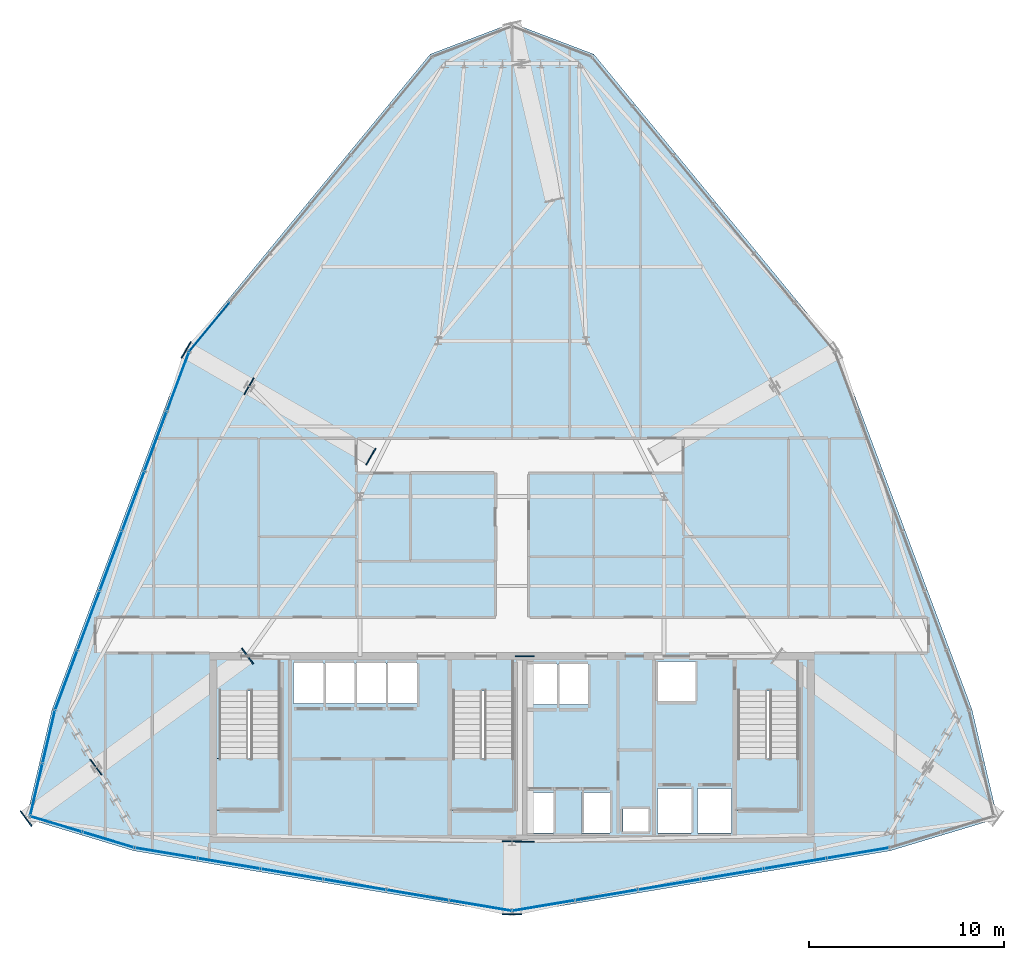
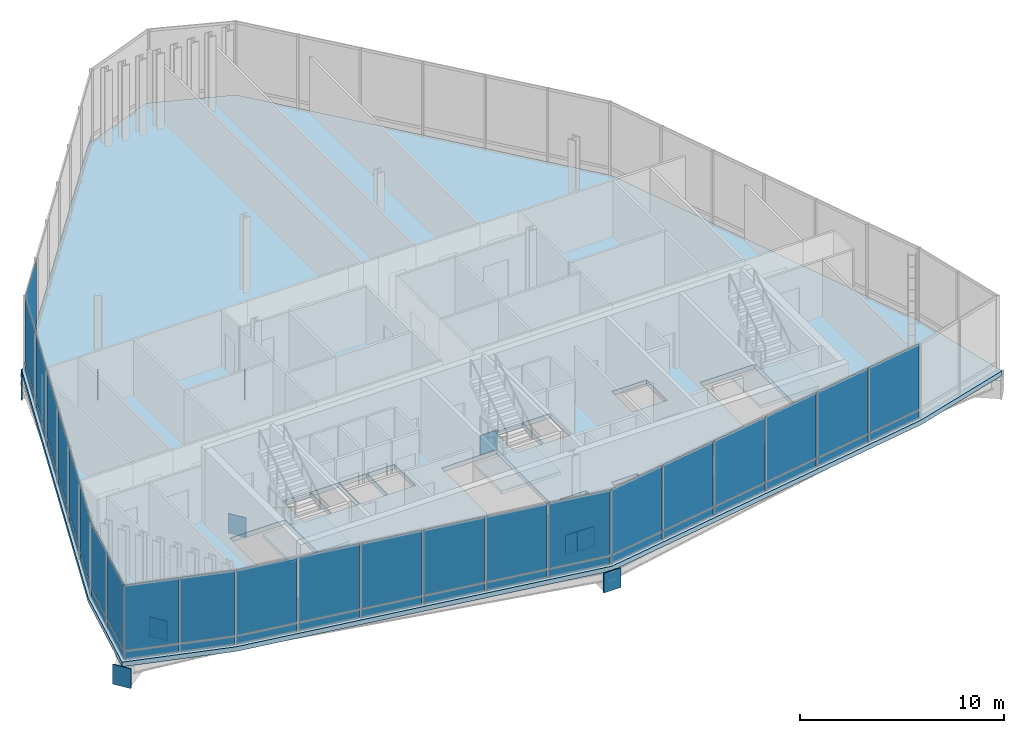
# One storey, part 21 of 29: 56 plates, 4 slabs, 9 elements without a shape of their own.
"""IFC4 building model written with IfcOpenShell, lengths in metres."""

from ifc_helpers import new_model, si_unit, direction, frame, origin, origin_2d, place, context, subcontext, project, spatial, polyline, rectangle, outline, extrude, material, layer, layer_set, type_object, element, aggregate, save


model = new_model("IFC4")

# Units and contexts
model_context = context("Model", 3, precision=1e-05, world=origin(), true_north=direction((0.0, 1.0)))
body_context = subcontext(model_context, "Body", "Model", "MODEL_VIEW")
ifc_project = project(units=[si_unit("LENGTHUNIT", "METRE"), si_unit("AREAUNIT", "SQUARE_METRE"), si_unit("VOLUMEUNIT", "CUBIC_METRE"), si_unit("PLANEANGLEUNIT", "RADIAN"), si_unit("MASSUNIT", "GRAM", prefix="KILO")], contexts=[model_context])

# Site, building, storey
site_placement = place(None, origin())
site = spatial("IfcSite", under=ifc_project, at=site_placement, CompositionType="ELEMENT")
building_placement = place(site_placement, origin())
building = spatial("IfcBuilding", under=site, at=building_placement, Name="Ndaravel Arena Tower", CompositionType="ELEMENT")
storey_placement = place(building_placement, frame((0.0, 0.0, 208.39990234375)))
storey = spatial("IfcBuildingStorey", under=building, at=storey_placement, Name="L50", CompositionType="ELEMENT", Elevation=208.39990234375)

# Plates
ifc_material_1 = material(Name="Steel S460", Category="steel")
ifc_layer_1 = layer(ifc_material_1, 0.06005859375)
ifc_layer_set_1 = layer_set([ifc_layer_1], Name="Steel S460")
plate_type_1 = type_object("IfcPlateType", Name="PLT-CAP-STF1", PredefinedType="USERDEFINED", material=ifc_layer_set_1)
for number, where, z_axis, x_axis, name in (
    (1, (28.40869140625, 15.0087890625, -1.419921875), (0.0, 0.0, 1.0), (-0.805824944182, -0.592153830802, 0.0), "L50 Hollow Section Sealed End Cap Plate HCP-039"),
    (2, (20.6298828125, 9.2919921875, -1.419921875), (0.0, 0.0, 1.0), (-0.805824944182, -0.592153830802, 0.0), "L50 Hollow Section Sealed End Cap Plate HCP-040"),
    (3, (17.03857421875, 6.65234375, -1.419921875), (0.0, 0.0, 1.0), (-0.805824944182, -0.592153830802, 0.0), "L50 Hollow Section Sealed End Cap Plate HCP-041"),
    (4, (42.64990234375, 14.9951171875, -1.419921875), (0.0, 0.0, 1.0), (0.0, -1.0, 0.0), "L50 Hollow Section Sealed End Cap Plate HCP-042"),
    (5, (42.64990234375, 5.465087890625, -1.419921875), (0.0, 0.0, 1.0), (0.0, -1.0, 0.0), "L50 Hollow Section Sealed End Cap Plate HCP-043"),
    (6, (42.0, 5.4951171875, -1.419921875), (0.0, 0.0, 1.0), (0.0, -1.0, 0.0), "L50 Hollow Section Sealed End Cap Plate HCP-044"),
    (7, (42.0, 1.735107421875, -1.419921875), (0.0, 0.0, 1.0), (0.0, -1.0, 0.0), "L50 Hollow Section Sealed End Cap Plate HCP-045"),
    (8, (34.75048828125, 25.251220703125, -1.419921875), (0.0, 0.0, 1.0), (-0.866025403784, 0.5, 0.0), "L50 Hollow Section Sealed End Cap Plate HCP-055"),
    (9, (28.4892578125, 28.8662109375, -1.419921875), (0.0, 0.0, 1.0), (-0.866025403784, 0.5, 0.0), "L50 Hollow Section Sealed End Cap Plate HCP-056"),
    (10, (25.259033203125, 30.731201171875, -1.419921875), (0.0, 0.0, 1.0), (-0.866025403784, 0.5, 0.0), "L50 Hollow Section Sealed End Cap Plate HCP-057"),
):
    element("IfcPlate", number, at=place(storey_placement, frame(where, z_axis=z_axis, x_axis=x_axis)), inside=storey, type_object=plate_type_1, Name=name, ObjectType="STIFFENER_PLATE", PredefinedType="USERDEFINED", context=body_context, shape_type="SweptSolid", body=[
        extrude(rectangle(XDim=0.06005859375, YDim=0.97998046875, at=origin_2d()), origin(), (0.0, 0.0, 1.0), 1.179931640625),
    ])

# Curtain wall, plates
ifc_material_2 = material(Name="Aluminium", Category="aluminium")
ifc_layer_2 = layer(ifc_material_2, 0.179931640625)
ifc_layer_set_2 = layer_set([ifc_layer_2], Name="Aluminium")
curtain_wall_type = type_object("IfcCurtainWallType", Name="CW-SYS-04", PredefinedType="NOTDEFINED", material=ifc_layer_set_2)
curtain_wall_1_placement = place(storey_placement, origin())
curtain_wall_1 = element("IfcCurtainWall", 11, at=curtain_wall_1_placement, inside=storey, type_object=curtain_wall_type, Name="L50 Faceted Crystal Curtain Wall CW-L50-E01", PredefinedType="NOTDEFINED")
ifc_material_3 = material(Name="Glazing", Category="glass")
ifc_layer_3 = layer(ifc_material_3, 0.0400390625)
ifc_layer_set_3 = layer_set([ifc_layer_3], Name="Glazing")
plate_type_2 = type_object("IfcPlateType", Name="PLT-GLZ-LOWIRON", PredefinedType="CURTAIN_PANEL", material=ifc_layer_set_3)
plate_1_placement = place(storey_placement, frame((18.58251953125, 6.367431640625, 0.59033203125), z_axis=(0.0, 0.0, 1.0), x_axis=(0.957576390633, -0.288179555317, 0.0)))
plate_1 = element("IfcPlate", 12, at=plate_1_placement, type_object=plate_type_2, Name="CW-L50-E01 Vision Glass Panel 01", PredefinedType="CURTAIN_PANEL", context=body_context, shape_type="SweptSolid", body=[
    extrude(rectangle(XDim=2.72216796875, YDim=0.035888671875, at=origin_2d()), origin(), (0.0, 0.0, 1.0), 3.889892578125),
])
plate_2_placement = place(storey_placement, frame((21.265625, 5.559814453125, 0.59033203125), z_axis=(0.0, 0.0, 1.0), x_axis=(0.957576390633, -0.288179555317, 0.0)))
plate_2 = element("IfcPlate", 13, at=plate_2_placement, type_object=plate_type_2, Name="CW-L50-E01 Vision Glass Panel 02", PredefinedType="CURTAIN_PANEL", context=body_context, shape_type="SweptSolid", body=[
    extrude(rectangle(XDim=2.72216796875, YDim=0.035888671875, at=origin_2d()), origin(), (0.0, 0.0, 1.0), 3.889892578125),
])

curtain_wall_2_placement = place(storey_placement, origin())
curtain_wall_2 = element("IfcCurtainWall", 14, at=curtain_wall_2_placement, inside=storey, type_object=curtain_wall_type, Name="L50 Faceted Crystal Curtain Wall CW-L50-E02", PredefinedType="NOTDEFINED")
plate_3_placement = place(storey_placement, frame((24.223388671875, 4.8857421875, 0.59033203125), z_axis=(0.0, 0.0, 1.0), x_axis=(0.98629712163, -0.164978749734, 0.0)))
plate_3 = element("IfcPlate", 15, at=plate_3_placement, type_object=plate_type_2, Name="CW-L50-E02 Vision Glass Panel 01", PredefinedType="CURTAIN_PANEL", context=body_context, shape_type="SweptSolid", body=[
    extrude(rectangle(XDim=3.197021484375, YDim=0.035888671875, at=origin_2d()), origin(), (0.0, 0.0, 1.0), 3.889892578125),
])
plate_4_placement = place(storey_placement, frame((27.45556640625, 4.34521484375, 0.59033203125), z_axis=(0.0, 0.0, 1.0), x_axis=(0.98629712163, -0.164978749734, 0.0)))
plate_4 = element("IfcPlate", 16, at=plate_4_placement, type_object=plate_type_2, Name="CW-L50-E02 Vision Glass Panel 02", PredefinedType="CURTAIN_PANEL", context=body_context, shape_type="SweptSolid", body=[
    extrude(rectangle(XDim=3.197021484375, YDim=0.035888671875, at=origin_2d()), origin(), (0.0, 0.0, 1.0), 3.889892578125),
])
plate_5_placement = place(storey_placement, frame((30.6875, 3.804443359375, 0.59033203125), z_axis=(0.0, 0.0, 1.0), x_axis=(0.98629712163, -0.164978749734, 0.0)))
plate_5 = element("IfcPlate", 17, at=plate_5_placement, type_object=plate_type_2, Name="CW-L50-E02 Vision Glass Panel 03", PredefinedType="CURTAIN_PANEL", context=body_context, shape_type="SweptSolid", body=[
    extrude(rectangle(XDim=3.197021484375, YDim=0.035888671875, at=origin_2d()), origin(), (0.0, 0.0, 1.0), 3.889892578125),
])
plate_6_placement = place(storey_placement, frame((33.919677734375, 3.263916015625, 0.59033203125), z_axis=(0.0, 0.0, 1.0), x_axis=(0.98629712163, -0.164978749734, 0.0)))
plate_6 = element("IfcPlate", 18, at=plate_6_placement, type_object=plate_type_2, Name="CW-L50-E02 Vision Glass Panel 04", PredefinedType="CURTAIN_PANEL", context=body_context, shape_type="SweptSolid", body=[
    extrude(rectangle(XDim=3.197021484375, YDim=0.035888671875, at=origin_2d()), origin(), (0.0, 0.0, 1.0), 3.889892578125),
])
plate_7_placement = place(storey_placement, frame((37.15185546875, 2.72314453125, 0.59033203125), z_axis=(0.0, 0.0, 1.0), x_axis=(0.98629712163, -0.164978749734, 0.0)))
plate_7 = element("IfcPlate", 19, at=plate_7_placement, type_object=plate_type_2, Name="CW-L50-E02 Vision Glass Panel 05", PredefinedType="CURTAIN_PANEL", context=body_context, shape_type="SweptSolid", body=[
    extrude(rectangle(XDim=3.197021484375, YDim=0.035888671875, at=origin_2d()), origin(), (0.0, 0.0, 1.0), 3.889892578125),
])
plate_8_placement = place(storey_placement, frame((40.3837890625, 2.1826171875, 0.59033203125), z_axis=(0.0, 0.0, 1.0), x_axis=(0.98629712163, -0.164978749734, 0.0)))
plate_8 = element("IfcPlate", 20, at=plate_8_placement, type_object=plate_type_2, Name="CW-L50-E02 Vision Glass Panel 06", PredefinedType="CURTAIN_PANEL", context=body_context, shape_type="SweptSolid", body=[
    extrude(rectangle(XDim=3.197021484375, YDim=0.035888671875, at=origin_2d()), origin(), (0.0, 0.0, 1.0), 3.889892578125),
])

curtain_wall_3_placement = place(storey_placement, origin())
curtain_wall_3 = element("IfcCurtainWall", 21, at=curtain_wall_3_placement, inside=storey, type_object=curtain_wall_type, Name="L50 Faceted Crystal Curtain Wall CW-L50-E03", PredefinedType="NOTDEFINED")
plate_9_placement = place(storey_placement, frame((43.6162109375, 2.1826171875, 0.59033203125), z_axis=(0.0, 0.0, 1.0), x_axis=(0.98629712163, 0.164978749734, 0.0)))
plate_9 = element("IfcPlate", 22, at=plate_9_placement, type_object=plate_type_2, Name="CW-L50-E03 Vision Glass Panel 01", PredefinedType="CURTAIN_PANEL", context=body_context, shape_type="SweptSolid", body=[
    extrude(rectangle(XDim=3.197021484375, YDim=0.035888671875, at=origin_2d()), origin(), (0.0, 0.0, 1.0), 3.889892578125),
])
plate_10_placement = place(storey_placement, frame((46.84814453125, 2.72314453125, 0.59033203125), z_axis=(0.0, 0.0, 1.0), x_axis=(0.98629712163, 0.164978749734, 0.0)))
plate_10 = element("IfcPlate", 23, at=plate_10_placement, type_object=plate_type_2, Name="CW-L50-E03 Vision Glass Panel 02", PredefinedType="CURTAIN_PANEL", context=body_context, shape_type="SweptSolid", body=[
    extrude(rectangle(XDim=3.197021484375, YDim=0.035888671875, at=origin_2d()), origin(), (0.0, 0.0, 1.0), 3.889892578125),
])
plate_11_placement = place(storey_placement, frame((50.080322265625, 3.263916015625, 0.59033203125), z_axis=(0.0, 0.0, 1.0), x_axis=(0.98629712163, 0.164978749734, 0.0)))
plate_11 = element("IfcPlate", 24, at=plate_11_placement, type_object=plate_type_2, Name="CW-L50-E03 Vision Glass Panel 03", PredefinedType="CURTAIN_PANEL", context=body_context, shape_type="SweptSolid", body=[
    extrude(rectangle(XDim=3.197021484375, YDim=0.035888671875, at=origin_2d()), origin(), (0.0, 0.0, 1.0), 3.889892578125),
])
plate_12_placement = place(storey_placement, frame((53.3125, 3.804443359375, 0.59033203125), z_axis=(0.0, 0.0, 1.0), x_axis=(0.98629712163, 0.164978749734, 0.0)))
plate_12 = element("IfcPlate", 25, at=plate_12_placement, type_object=plate_type_2, Name="CW-L50-E03 Vision Glass Panel 04", PredefinedType="CURTAIN_PANEL", context=body_context, shape_type="SweptSolid", body=[
    extrude(rectangle(XDim=3.197021484375, YDim=0.035888671875, at=origin_2d()), origin(), (0.0, 0.0, 1.0), 3.889892578125),
])
plate_13_placement = place(storey_placement, frame((56.54443359375, 4.34521484375, 0.59033203125), z_axis=(0.0, 0.0, 1.0), x_axis=(0.98629712163, 0.164978749734, 0.0)))
plate_13 = element("IfcPlate", 26, at=plate_13_placement, type_object=plate_type_2, Name="CW-L50-E03 Vision Glass Panel 05", PredefinedType="CURTAIN_PANEL", context=body_context, shape_type="SweptSolid", body=[
    extrude(rectangle(XDim=3.197021484375, YDim=0.035888671875, at=origin_2d()), origin(), (0.0, 0.0, 1.0), 3.889892578125),
])
plate_14_placement = place(storey_placement, frame((59.776611328125, 4.8857421875, 0.59033203125), z_axis=(0.0, 0.0, 1.0), x_axis=(0.98629712163, 0.164978749734, 0.0)))
plate_14 = element("IfcPlate", 27, at=plate_14_placement, type_object=plate_type_2, Name="CW-L50-E03 Vision Glass Panel 06", PredefinedType="CURTAIN_PANEL", context=body_context, shape_type="SweptSolid", body=[
    extrude(rectangle(XDim=3.197021484375, YDim=0.035888671875, at=origin_2d()), origin(), (0.0, 0.0, 1.0), 3.889892578125),
])

# Curtain wall, plate
curtain_wall_4_placement = place(storey_placement, origin())
curtain_wall_4 = element("IfcCurtainWall", 28, at=curtain_wall_4_placement, inside=storey, type_object=curtain_wall_type, Name="L50 Faceted Crystal Curtain Wall CW-L50-E10", PredefinedType="NOTDEFINED")
plate_15_placement = place(storey_placement, frame((26.452880859375, 31.90478515625, 0.59033203125), z_axis=(0.0, 0.0, 1.0), x_axis=(-0.636024349169, -0.771668988144, 0.0)))
plate_15 = element("IfcPlate", 29, at=plate_15_placement, type_object=plate_type_2, Name="CW-L50-E10 Vision Glass Panel 06", PredefinedType="CURTAIN_PANEL", context=body_context, shape_type="SweptSolid", body=[
    extrude(rectangle(XDim=3.191650390625, YDim=0.035888671875, at=origin_2d()), origin(), (0.0, 0.0, 1.0), 3.889892578125),
])

# Curtain wall, plates
curtain_wall_5_placement = place(storey_placement, origin())
curtain_wall_5 = element("IfcCurtainWall", 30, at=curtain_wall_5_placement, inside=storey, type_object=curtain_wall_type, Name="L50 Faceted Crystal Curtain Wall CW-L50-E11", PredefinedType="NOTDEFINED")
plate_16_placement = place(storey_placement, frame((24.838623046875, 29.10791015625, 0.59033203125), z_axis=(0.0, 0.0, 1.0), x_axis=(-0.350272772461, -0.936647737878, 0.0)))
plate_16 = element("IfcPlate", 31, at=plate_16_placement, type_object=plate_type_2, Name="CW-L50-E11 Vision Glass Panel 01", PredefinedType="CURTAIN_PANEL", context=body_context, shape_type="SweptSolid", body=[
    extrude(rectangle(XDim=3.197021484375, YDim=0.035888671875, at=origin_2d()), origin(), (0.0, 0.0, 1.0), 3.889892578125),
])
plate_17_placement = place(storey_placement, frame((23.69091796875, 26.03857421875, 0.59033203125), z_axis=(0.0, 0.0, 1.0), x_axis=(-0.350272772461, -0.936647737878, 0.0)))
plate_17 = element("IfcPlate", 32, at=plate_17_placement, type_object=plate_type_2, Name="CW-L50-E11 Vision Glass Panel 02", PredefinedType="CURTAIN_PANEL", context=body_context, shape_type="SweptSolid", body=[
    extrude(rectangle(XDim=3.197021484375, YDim=0.035888671875, at=origin_2d()), origin(), (0.0, 0.0, 1.0), 3.889892578125),
])
plate_18_placement = place(storey_placement, frame((22.54296875, 22.968994140625, 0.59033203125), z_axis=(0.0, 0.0, 1.0), x_axis=(-0.350272772461, -0.936647737878, 0.0)))
plate_18 = element("IfcPlate", 33, at=plate_18_placement, type_object=plate_type_2, Name="CW-L50-E11 Vision Glass Panel 03", PredefinedType="CURTAIN_PANEL", context=body_context, shape_type="SweptSolid", body=[
    extrude(rectangle(XDim=3.197021484375, YDim=0.035888671875, at=origin_2d()), origin(), (0.0, 0.0, 1.0), 3.889892578125),
])
plate_19_placement = place(storey_placement, frame((21.39501953125, 19.899658203125, 0.59033203125), z_axis=(0.0, 0.0, 1.0), x_axis=(-0.350272772461, -0.936647737878, 0.0)))
plate_19 = element("IfcPlate", 34, at=plate_19_placement, type_object=plate_type_2, Name="CW-L50-E11 Vision Glass Panel 04", PredefinedType="CURTAIN_PANEL", context=body_context, shape_type="SweptSolid", body=[
    extrude(rectangle(XDim=3.197021484375, YDim=0.035888671875, at=origin_2d()), origin(), (0.0, 0.0, 1.0), 3.889892578125),
])
plate_20_placement = place(storey_placement, frame((20.247314453125, 16.830078125, 0.59033203125), z_axis=(0.0, 0.0, 1.0), x_axis=(-0.350272772461, -0.936647737878, 0.0)))
plate_20 = element("IfcPlate", 35, at=plate_20_placement, type_object=plate_type_2, Name="CW-L50-E11 Vision Glass Panel 05", PredefinedType="CURTAIN_PANEL", context=body_context, shape_type="SweptSolid", body=[
    extrude(rectangle(XDim=3.197021484375, YDim=0.035888671875, at=origin_2d()), origin(), (0.0, 0.0, 1.0), 3.889892578125),
])
plate_21_placement = place(storey_placement, frame((19.099365234375, 13.7607421875, 0.59033203125), z_axis=(0.0, 0.0, 1.0), x_axis=(-0.350272772461, -0.936647737878, 0.0)))
plate_21 = element("IfcPlate", 36, at=plate_21_placement, type_object=plate_type_2, Name="CW-L50-E11 Vision Glass Panel 06", PredefinedType="CURTAIN_PANEL", context=body_context, shape_type="SweptSolid", body=[
    extrude(rectangle(XDim=3.197021484375, YDim=0.035888671875, at=origin_2d()), origin(), (0.0, 0.0, 1.0), 3.889892578125),
])

curtain_wall_6_placement = place(storey_placement, origin())
curtain_wall_6 = element("IfcCurtainWall", 37, at=curtain_wall_6_placement, inside=storey, type_object=curtain_wall_type, Name="L50 Faceted Crystal Curtain Wall CW-L50-E12", PredefinedType="NOTDEFINED")
plate_22_placement = place(storey_placement, frame((18.204345703125, 10.8623046875, 0.59033203125), z_axis=(0.0, 0.0, 1.0), x_axis=(-0.22921737956, -0.973375258011, 0.0)))
plate_22 = element("IfcPlate", 38, at=plate_22_placement, type_object=plate_type_2, Name="CW-L50-E12 Vision Glass Panel 01", PredefinedType="CURTAIN_PANEL", context=body_context, shape_type="SweptSolid", body=[
    extrude(rectangle(XDim=2.72216796875, YDim=0.035888671875, at=origin_2d()), origin(), (0.0, 0.0, 1.0), 3.889892578125),
])
plate_23_placement = place(storey_placement, frame((17.56201171875, 8.135009765625, 0.59033203125), z_axis=(0.0, 0.0, 1.0), x_axis=(-0.22921737956, -0.973375258011, 0.0)))
plate_23 = element("IfcPlate", 39, at=plate_23_placement, type_object=plate_type_2, Name="CW-L50-E12 Vision Glass Panel 02", PredefinedType="CURTAIN_PANEL", context=body_context, shape_type="SweptSolid", body=[
    extrude(rectangle(XDim=2.72216796875, YDim=0.035888671875, at=origin_2d()), origin(), (0.0, 0.0, 1.0), 3.889892578125),
])

# Plate
ifc_material_4 = material(Name="Aluminium", Category="aluminium")
ifc_layer_4 = layer(ifc_material_4, 0.044921875)
ifc_layer_set_4 = layer_set([ifc_layer_4], Name="Aluminium")
plate_type_3 = type_object("IfcPlateType", Name="PLT-SPANDREL-ALU", PredefinedType="SHEET", material=ifc_layer_set_4)
plate_24_placement = place(storey_placement, frame((18.58251953125, 6.367431640625, 0.0400390625), z_axis=(0.0, 0.0, 1.0), x_axis=(0.957576390633, -0.288179555317, 0.0)))
plate_24 = element("IfcPlate", 40, at=plate_24_placement, type_object=plate_type_3, Name="CW-L50-E01 Spandrel Panel 01", PredefinedType="SHEET", context=body_context, shape_type="SweptSolid", body=[
    extrude(rectangle(XDim=2.72216796875, YDim=0.044921875, at=origin_2d()), origin(), (0.0, 0.0, 1.0), 0.469970703125),
])

plate_25_placement = place(storey_placement, frame((21.265625, 5.559814453125, 0.0400390625), z_axis=(0.0, 0.0, 1.0), x_axis=(0.957576390633, -0.288179555317, 0.0)))
plate_25 = element("IfcPlate", 41, at=plate_25_placement, type_object=plate_type_3, Name="CW-L50-E01 Spandrel Panel 02", PredefinedType="SHEET", context=body_context, shape_type="SweptSolid", body=[
    extrude(rectangle(XDim=2.72216796875, YDim=0.044921875, at=origin_2d()), origin(), (0.0, 0.0, 1.0), 0.469970703125),
])

aggregate(curtain_wall_1, [plate_24, plate_1, plate_25, plate_2])

plate_26_placement = place(storey_placement, frame((24.223388671875, 4.8857421875, 0.0400390625), z_axis=(0.0, 0.0, 1.0), x_axis=(0.98629712163, -0.164978749734, 0.0)))
plate_26 = element("IfcPlate", 42, at=plate_26_placement, type_object=plate_type_3, Name="CW-L50-E02 Spandrel Panel 01", PredefinedType="SHEET", context=body_context, shape_type="SweptSolid", body=[
    extrude(rectangle(XDim=3.197021484375, YDim=0.044921875, at=origin_2d()), origin(), (0.0, 0.0, 1.0), 0.469970703125),
])

plate_27_placement = place(storey_placement, frame((27.45556640625, 4.34521484375, 0.0400390625), z_axis=(0.0, 0.0, 1.0), x_axis=(0.98629712163, -0.164978749734, 0.0)))
plate_27 = element("IfcPlate", 43, at=plate_27_placement, type_object=plate_type_3, Name="CW-L50-E02 Spandrel Panel 02", PredefinedType="SHEET", context=body_context, shape_type="SweptSolid", body=[
    extrude(rectangle(XDim=3.197021484375, YDim=0.044921875, at=origin_2d()), origin(), (0.0, 0.0, 1.0), 0.469970703125),
])

plate_28_placement = place(storey_placement, frame((30.6875, 3.804443359375, 0.0400390625), z_axis=(0.0, 0.0, 1.0), x_axis=(0.98629712163, -0.164978749734, 0.0)))
plate_28 = element("IfcPlate", 44, at=plate_28_placement, type_object=plate_type_3, Name="CW-L50-E02 Spandrel Panel 03", PredefinedType="SHEET", context=body_context, shape_type="SweptSolid", body=[
    extrude(rectangle(XDim=3.197021484375, YDim=0.044921875, at=origin_2d()), origin(), (0.0, 0.0, 1.0), 0.469970703125),
])

plate_29_placement = place(storey_placement, frame((33.919677734375, 3.263916015625, 0.0400390625), z_axis=(0.0, 0.0, 1.0), x_axis=(0.98629712163, -0.164978749734, 0.0)))
plate_29 = element("IfcPlate", 45, at=plate_29_placement, type_object=plate_type_3, Name="CW-L50-E02 Spandrel Panel 04", PredefinedType="SHEET", context=body_context, shape_type="SweptSolid", body=[
    extrude(rectangle(XDim=3.197021484375, YDim=0.044921875, at=origin_2d()), origin(), (0.0, 0.0, 1.0), 0.469970703125),
])

plate_30_placement = place(storey_placement, frame((37.15185546875, 2.72314453125, 0.0400390625), z_axis=(0.0, 0.0, 1.0), x_axis=(0.98629712163, -0.164978749734, 0.0)))
plate_30 = element("IfcPlate", 46, at=plate_30_placement, type_object=plate_type_3, Name="CW-L50-E02 Spandrel Panel 05", PredefinedType="SHEET", context=body_context, shape_type="SweptSolid", body=[
    extrude(rectangle(XDim=3.197021484375, YDim=0.044921875, at=origin_2d()), origin(), (0.0, 0.0, 1.0), 0.469970703125),
])

plate_31_placement = place(storey_placement, frame((40.3837890625, 2.1826171875, 0.0400390625), z_axis=(0.0, 0.0, 1.0), x_axis=(0.98629712163, -0.164978749734, 0.0)))
plate_31 = element("IfcPlate", 47, at=plate_31_placement, type_object=plate_type_3, Name="CW-L50-E02 Spandrel Panel 06", PredefinedType="SHEET", context=body_context, shape_type="SweptSolid", body=[
    extrude(rectangle(XDim=3.197021484375, YDim=0.044921875, at=origin_2d()), origin(), (0.0, 0.0, 1.0), 0.469970703125),
])

aggregate(curtain_wall_2, [plate_26, plate_3, plate_27, plate_4, plate_28, plate_5, plate_29, plate_6, plate_30, plate_7, plate_31, plate_8])

plate_32_placement = place(storey_placement, frame((43.6162109375, 2.1826171875, 0.0400390625), z_axis=(0.0, 0.0, 1.0), x_axis=(0.98629712163, 0.164978749734, 0.0)))
plate_32 = element("IfcPlate", 48, at=plate_32_placement, type_object=plate_type_3, Name="CW-L50-E03 Spandrel Panel 01", PredefinedType="SHEET", context=body_context, shape_type="SweptSolid", body=[
    extrude(rectangle(XDim=3.197021484375, YDim=0.044921875, at=origin_2d()), origin(), (0.0, 0.0, 1.0), 0.469970703125),
])

plate_33_placement = place(storey_placement, frame((46.84814453125, 2.72314453125, 0.0400390625), z_axis=(0.0, 0.0, 1.0), x_axis=(0.98629712163, 0.164978749734, 0.0)))
plate_33 = element("IfcPlate", 49, at=plate_33_placement, type_object=plate_type_3, Name="CW-L50-E03 Spandrel Panel 02", PredefinedType="SHEET", context=body_context, shape_type="SweptSolid", body=[
    extrude(rectangle(XDim=3.197021484375, YDim=0.044921875, at=origin_2d()), origin(), (0.0, 0.0, 1.0), 0.469970703125),
])

plate_34_placement = place(storey_placement, frame((50.080322265625, 3.263916015625, 0.0400390625), z_axis=(0.0, 0.0, 1.0), x_axis=(0.98629712163, 0.164978749734, 0.0)))
plate_34 = element("IfcPlate", 50, at=plate_34_placement, type_object=plate_type_3, Name="CW-L50-E03 Spandrel Panel 03", PredefinedType="SHEET", context=body_context, shape_type="SweptSolid", body=[
    extrude(rectangle(XDim=3.197021484375, YDim=0.044921875, at=origin_2d()), origin(), (0.0, 0.0, 1.0), 0.469970703125),
])

plate_35_placement = place(storey_placement, frame((53.3125, 3.804443359375, 0.0400390625), z_axis=(0.0, 0.0, 1.0), x_axis=(0.98629712163, 0.164978749734, 0.0)))
plate_35 = element("IfcPlate", 51, at=plate_35_placement, type_object=plate_type_3, Name="CW-L50-E03 Spandrel Panel 04", PredefinedType="SHEET", context=body_context, shape_type="SweptSolid", body=[
    extrude(rectangle(XDim=3.197021484375, YDim=0.044921875, at=origin_2d()), origin(), (0.0, 0.0, 1.0), 0.469970703125),
])

plate_36_placement = place(storey_placement, frame((56.54443359375, 4.34521484375, 0.0400390625), z_axis=(0.0, 0.0, 1.0), x_axis=(0.98629712163, 0.164978749734, 0.0)))
plate_36 = element("IfcPlate", 52, at=plate_36_placement, type_object=plate_type_3, Name="CW-L50-E03 Spandrel Panel 05", PredefinedType="SHEET", context=body_context, shape_type="SweptSolid", body=[
    extrude(rectangle(XDim=3.197021484375, YDim=0.044921875, at=origin_2d()), origin(), (0.0, 0.0, 1.0), 0.469970703125),
])

plate_37_placement = place(storey_placement, frame((59.776611328125, 4.8857421875, 0.0400390625), z_axis=(0.0, 0.0, 1.0), x_axis=(0.98629712163, 0.164978749734, 0.0)))
plate_37 = element("IfcPlate", 53, at=plate_37_placement, type_object=plate_type_3, Name="CW-L50-E03 Spandrel Panel 06", PredefinedType="SHEET", context=body_context, shape_type="SweptSolid", body=[
    extrude(rectangle(XDim=3.197021484375, YDim=0.044921875, at=origin_2d()), origin(), (0.0, 0.0, 1.0), 0.469970703125),
])

aggregate(curtain_wall_3, [plate_32, plate_9, plate_33, plate_10, plate_34, plate_11, plate_35, plate_12, plate_36, plate_13, plate_37, plate_14])

plate_38_placement = place(storey_placement, frame((26.452880859375, 31.90478515625, 0.0400390625), z_axis=(0.0, 0.0, 1.0), x_axis=(-0.636024349169, -0.771668988144, 0.0)))
plate_38 = element("IfcPlate", 54, at=plate_38_placement, type_object=plate_type_3, Name="CW-L50-E10 Spandrel Panel 06", PredefinedType="SHEET", context=body_context, shape_type="SweptSolid", body=[
    extrude(rectangle(XDim=3.191650390625, YDim=0.044921875, at=origin_2d()), origin(), (0.0, 0.0, 1.0), 0.469970703125),
])

aggregate(curtain_wall_4, [plate_38, plate_15])

plate_39_placement = place(storey_placement, frame((24.838623046875, 29.10791015625, 0.0400390625), z_axis=(0.0, 0.0, 1.0), x_axis=(-0.350272772461, -0.936647737878, 0.0)))
plate_39 = element("IfcPlate", 55, at=plate_39_placement, type_object=plate_type_3, Name="CW-L50-E11 Spandrel Panel 01", PredefinedType="SHEET", context=body_context, shape_type="SweptSolid", body=[
    extrude(rectangle(XDim=3.197021484375, YDim=0.044921875, at=origin_2d()), origin(), (0.0, 0.0, 1.0), 0.469970703125),
])

plate_40_placement = place(storey_placement, frame((23.69091796875, 26.03857421875, 0.0400390625), z_axis=(0.0, 0.0, 1.0), x_axis=(-0.350272772461, -0.936647737878, 0.0)))
plate_40 = element("IfcPlate", 56, at=plate_40_placement, type_object=plate_type_3, Name="CW-L50-E11 Spandrel Panel 02", PredefinedType="SHEET", context=body_context, shape_type="SweptSolid", body=[
    extrude(rectangle(XDim=3.197021484375, YDim=0.044921875, at=origin_2d()), origin(), (0.0, 0.0, 1.0), 0.469970703125),
])

plate_41_placement = place(storey_placement, frame((22.54296875, 22.968994140625, 0.0400390625), z_axis=(0.0, 0.0, 1.0), x_axis=(-0.350272772461, -0.936647737878, 0.0)))
plate_41 = element("IfcPlate", 57, at=plate_41_placement, type_object=plate_type_3, Name="CW-L50-E11 Spandrel Panel 03", PredefinedType="SHEET", context=body_context, shape_type="SweptSolid", body=[
    extrude(rectangle(XDim=3.197021484375, YDim=0.044921875, at=origin_2d()), origin(), (0.0, 0.0, 1.0), 0.469970703125),
])

plate_42_placement = place(storey_placement, frame((21.39501953125, 19.899658203125, 0.0400390625), z_axis=(0.0, 0.0, 1.0), x_axis=(-0.350272772461, -0.936647737878, 0.0)))
plate_42 = element("IfcPlate", 58, at=plate_42_placement, type_object=plate_type_3, Name="CW-L50-E11 Spandrel Panel 04", PredefinedType="SHEET", context=body_context, shape_type="SweptSolid", body=[
    extrude(rectangle(XDim=3.197021484375, YDim=0.044921875, at=origin_2d()), origin(), (0.0, 0.0, 1.0), 0.469970703125),
])

plate_43_placement = place(storey_placement, frame((20.247314453125, 16.830078125, 0.0400390625), z_axis=(0.0, 0.0, 1.0), x_axis=(-0.350272772461, -0.936647737878, 0.0)))
plate_43 = element("IfcPlate", 59, at=plate_43_placement, type_object=plate_type_3, Name="CW-L50-E11 Spandrel Panel 05", PredefinedType="SHEET", context=body_context, shape_type="SweptSolid", body=[
    extrude(rectangle(XDim=3.197021484375, YDim=0.044921875, at=origin_2d()), origin(), (0.0, 0.0, 1.0), 0.469970703125),
])

plate_44_placement = place(storey_placement, frame((19.099365234375, 13.7607421875, 0.0400390625), z_axis=(0.0, 0.0, 1.0), x_axis=(-0.350272772461, -0.936647737878, 0.0)))
plate_44 = element("IfcPlate", 60, at=plate_44_placement, type_object=plate_type_3, Name="CW-L50-E11 Spandrel Panel 06", PredefinedType="SHEET", context=body_context, shape_type="SweptSolid", body=[
    extrude(rectangle(XDim=3.197021484375, YDim=0.044921875, at=origin_2d()), origin(), (0.0, 0.0, 1.0), 0.469970703125),
])

aggregate(curtain_wall_5, [plate_39, plate_16, plate_40, plate_17, plate_41, plate_18, plate_42, plate_19, plate_43, plate_20, plate_44, plate_21])

plate_45_placement = place(storey_placement, frame((18.204345703125, 10.8623046875, 0.0400390625), z_axis=(0.0, 0.0, 1.0), x_axis=(-0.22921737956, -0.973375258011, 0.0)))
plate_45 = element("IfcPlate", 61, at=plate_45_placement, type_object=plate_type_3, Name="CW-L50-E12 Spandrel Panel 01", PredefinedType="SHEET", context=body_context, shape_type="SweptSolid", body=[
    extrude(rectangle(XDim=2.72216796875, YDim=0.044921875, at=origin_2d()), origin(), (0.0, 0.0, 1.0), 0.469970703125),
])

plate_46_placement = place(storey_placement, frame((17.56201171875, 8.135009765625, 0.0400390625), z_axis=(0.0, 0.0, 1.0), x_axis=(-0.22921737956, -0.973375258011, 0.0)))
plate_46 = element("IfcPlate", 62, at=plate_46_placement, type_object=plate_type_3, Name="CW-L50-E12 Spandrel Panel 02", PredefinedType="SHEET", context=body_context, shape_type="SweptSolid", body=[
    extrude(rectangle(XDim=2.72216796875, YDim=0.044921875, at=origin_2d()), origin(), (0.0, 0.0, 1.0), 0.469970703125),
])

aggregate(curtain_wall_6, [plate_45, plate_22, plate_46, plate_23])

# Stair, slab
ifc_material_5 = material(Name="Concrete C40/50", Category="concrete")
stair_type = type_object("IfcStairType", Name="STAIR-CORE-HT", PredefinedType="HALF_TURN_STAIR", material=ifc_material_5)
stair_1_placement = place(storey_placement, origin())
stair_1 = element("IfcStair", 63, at=stair_1_placement, inside=storey, type_object=stair_type, Name="L50 ST-1", PredefinedType="HALF_TURN_STAIR")
ifc_material_6 = material(Name="Concrete C40/50", Category="concrete")
ifc_layer_5 = layer(ifc_material_6, 0.199951171875)
ifc_layer_set_5 = layer_set([ifc_layer_5], Name="Concrete C40/50")
slab_type_1 = type_object("IfcSlabType", Name="SLAB-STAIR-LANDING", PredefinedType="LANDING", material=ifc_layer_set_5)
slab_1_placement = place(storey_placement, frame((0.0, 0.0, 2.2001953125)))
slab_1 = element("IfcSlab", 64, at=slab_1_placement, type_object=slab_type_1, Name="ST-1 landing 1", PredefinedType="LANDING", context=body_context, shape_type="SweptSolid", body=[
    extrude(outline(polyline([(26.81005859375, 9.7451171875), (26.81005859375, 7.070068359375), (30.169921875, 7.070068359375), (30.169921875, 9.7451171875), (26.81005859375, 9.7451171875)])), origin(), (0.0, 0.0, 1.0), 0.199951171875),
])
aggregate(stair_1, [slab_1])

stair_2_placement = place(storey_placement, origin())
stair_2 = element("IfcStair", 65, at=stair_2_placement, inside=storey, type_object=stair_type, Name="L50 ST-2", PredefinedType="HALF_TURN_STAIR")
slab_2_placement = place(storey_placement, frame((0.0, 0.0, 2.2001953125)))
slab_2 = element("IfcSlab", 66, at=slab_2_placement, type_object=slab_type_1, Name="ST-2 landing 1", PredefinedType="LANDING", context=body_context, shape_type="SweptSolid", body=[
    extrude(outline(polyline([(38.81005859375, 9.7451171875), (38.81005859375, 7.070068359375), (42.169921875, 7.070068359375), (42.169921875, 9.7451171875), (38.81005859375, 9.7451171875)])), origin(), (0.0, 0.0, 1.0), 0.199951171875),
])
aggregate(stair_2, [slab_2])

stair_3_placement = place(storey_placement, origin())
stair_3 = element("IfcStair", 67, at=stair_3_placement, inside=storey, type_object=stair_type, Name="L50 ST-3", PredefinedType="HALF_TURN_STAIR")
slab_3_placement = place(storey_placement, frame((0.0, 0.0, 2.2001953125)))
slab_3 = element("IfcSlab", 68, at=slab_3_placement, type_object=slab_type_1, Name="ST-3 landing 1", PredefinedType="LANDING", context=body_context, shape_type="SweptSolid", body=[
    extrude(outline(polyline([(53.4599609375, 9.7451171875), (53.4599609375, 7.070068359375), (56.820068359375, 7.070068359375), (56.820068359375, 9.7451171875), (53.4599609375, 9.7451171875)])), origin(), (0.0, 0.0, 1.0), 0.199951171875),
])
aggregate(stair_3, [slab_3])

# Slab
ifc_material_7 = material(Name="Concrete C40/50", Category="concrete")
ifc_layer_6 = layer(ifc_material_7, 0.280029296875)
ifc_layer_set_6 = layer_set([ifc_layer_6], Name="Concrete C40/50")
slab_type_2 = type_object("IfcSlabType", Name="SLAB-TRANS-280", PredefinedType="FLOOR", material=ifc_layer_set_6)
slab_4_placement = place(storey_placement, frame((0.0, 0.0, -0.27978515625)))
element("IfcSlab", 69, at=slab_4_placement, inside=storey, type_object=slab_type_2, Name="L50 Structural Floor Slab", PredefinedType="FLOOR", context=body_context, shape_type="SweptSolid", body=[
    extrude(outline(polyline([(18.3720703125, 12.272705078125), (17.05078125, 6.661376953125), (22.57080078125, 5.0), (42.0, 1.75), (61.42919921875, 5.0), (66.94921875, 6.661376953125), (65.6279296875, 12.272705078125), (58.727783203125, 30.7236328125), (46.19873046875, 45.9248046875), (42.0, 47.52490234375), (37.80126953125, 45.9248046875), (25.272216796875, 30.7236328125), (18.3720703125, 12.272705078125)]), holes=[polyline([(26.949951171875, 13.215087890625), (26.949951171875, 7.14990234375), (30.090087890625, 7.14990234375), (30.090087890625, 13.215087890625), (26.949951171875, 13.215087890625)]), polyline([(38.949951171875, 13.215087890625), (38.949951171875, 7.14990234375), (42.090087890625, 7.14990234375), (42.090087890625, 13.215087890625), (38.949951171875, 13.215087890625)]), polyline([(53.60009765625, 13.215087890625), (53.60009765625, 7.14990234375), (56.739990234375, 7.14990234375), (56.739990234375, 13.215087890625), (53.60009765625, 13.215087890625)]), polyline([(30.784912109375, 12.56005859375), (32.31494140625, 12.56005859375), (32.31494140625, 14.639892578125), (30.784912109375, 14.639892578125), (30.784912109375, 12.56005859375)]), polyline([(32.385009765625, 12.56005859375), (33.9150390625, 12.56005859375), (33.9150390625, 14.639892578125), (32.385009765625, 14.639892578125), (32.385009765625, 12.56005859375)]), polyline([(33.985107421875, 12.56005859375), (35.514892578125, 12.56005859375), (35.514892578125, 14.639892578125), (33.985107421875, 14.639892578125), (33.985107421875, 12.56005859375)]), polyline([(35.5849609375, 12.56005859375), (37.114990234375, 12.56005859375), (37.114990234375, 14.639892578125), (35.5849609375, 14.639892578125), (35.5849609375, 12.56005859375)]), polyline([(42.659912109375, 5.909912109375), (44.139892578125, 5.909912109375), (44.139892578125, 7.989990234375), (42.659912109375, 7.989990234375), (42.659912109375, 5.909912109375)]), polyline([(45.56005859375, 5.909912109375), (47.0400390625, 5.909912109375), (47.0400390625, 7.989990234375), (45.56005859375, 7.989990234375), (45.56005859375, 5.909912109375)]), polyline([(42.784912109375, 12.510009765625), (44.31494140625, 12.510009765625), (44.31494140625, 14.590087890625), (42.784912109375, 14.590087890625), (42.784912109375, 12.510009765625)]), polyline([(44.385009765625, 12.510009765625), (45.9150390625, 12.510009765625), (45.9150390625, 14.590087890625), (44.385009765625, 14.590087890625), (44.385009765625, 12.510009765625)]), polyline([(49.485107421875, 5.909912109375), (51.215087890625, 5.909912109375), (51.215087890625, 8.18994140625), (49.485107421875, 8.18994140625), (49.485107421875, 5.909912109375)]), polyline([(51.534912109375, 5.909912109375), (53.264892578125, 5.909912109375), (53.264892578125, 8.18994140625), (51.534912109375, 8.18994140625), (51.534912109375, 5.909912109375)]), polyline([(49.4599609375, 12.68505859375), (51.43994140625, 12.68505859375), (51.43994140625, 14.715087890625), (49.4599609375, 14.715087890625), (49.4599609375, 12.68505859375)]), polyline([(47.699951171875, 6.0), (49.0, 6.0), (49.0, 7.139892578125), (47.699951171875, 7.139892578125), (47.699951171875, 6.0)])]), origin(), (0.0, 0.0, 1.0), 0.27978515625),
])

save(model, "model.ifc")
